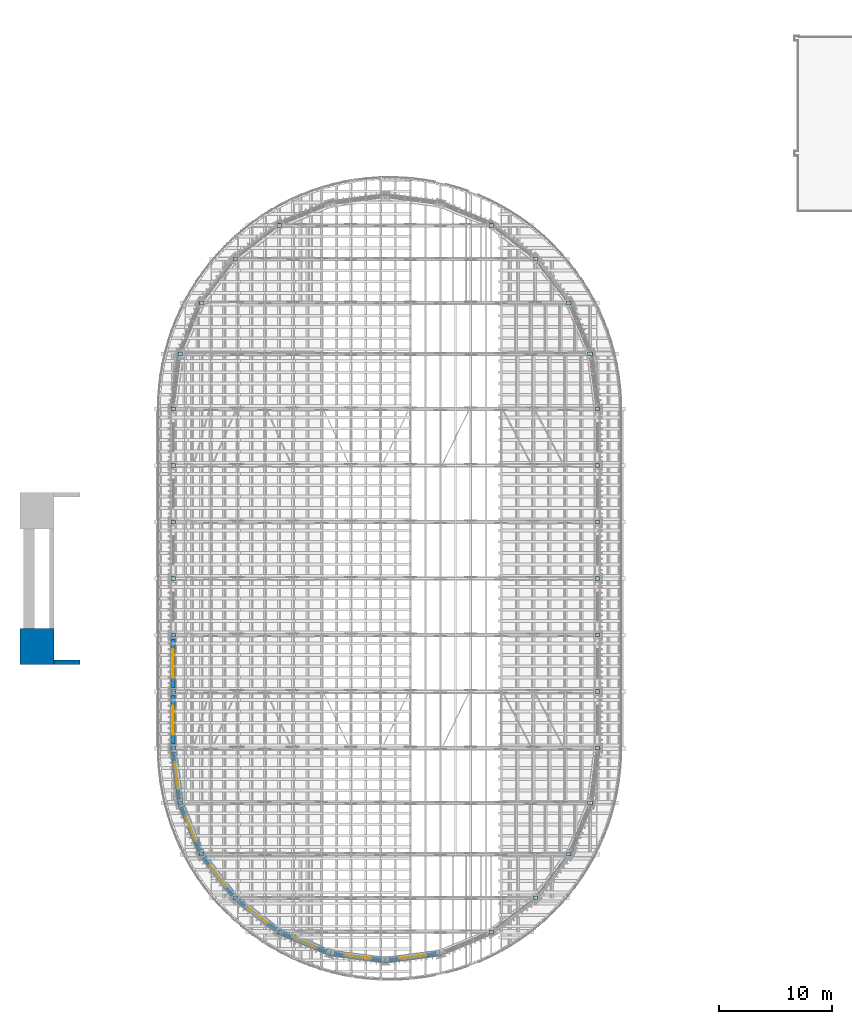
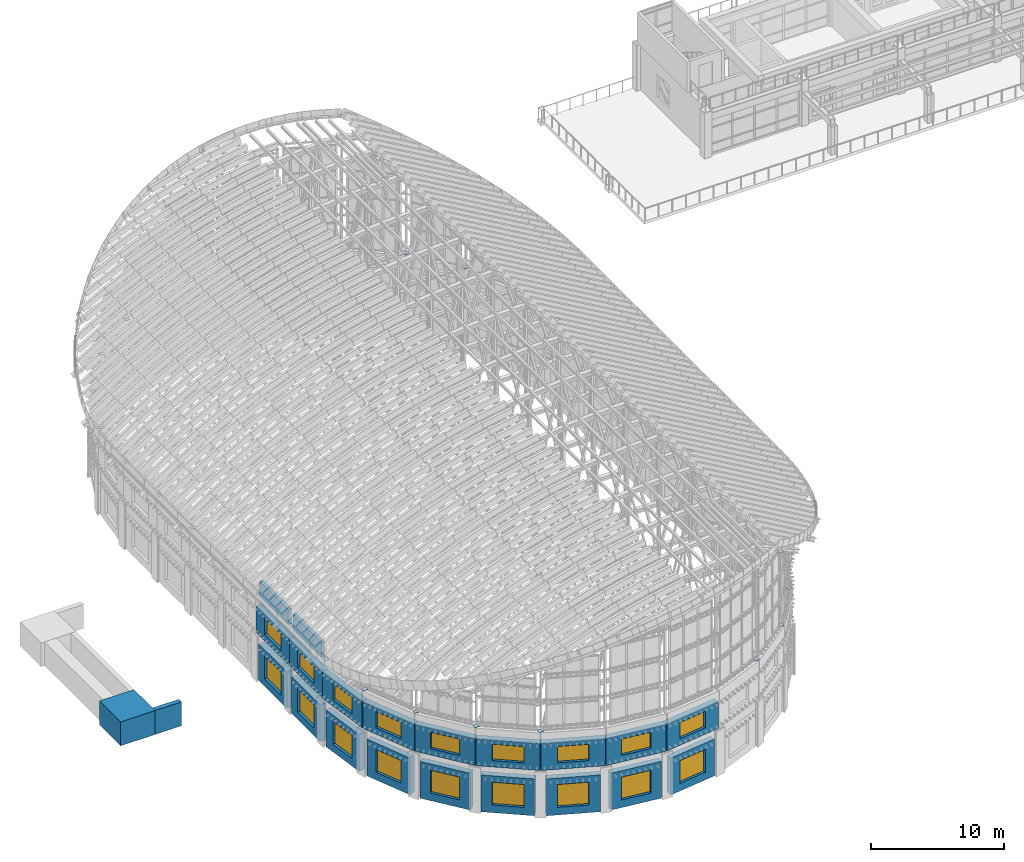
# One storey, part 54 of 105: 30 plates, 22 walls, 18 windows, 18 openings.
"""IFC4 building model written with IfcOpenShell, lengths in metres."""

import ifcopenshell
import ifcopenshell.guid

model = None  # the IFC model being written
_history = None  # IfcOwnerHistory: only IFC2X3 demands one
_inside = {}  # id of a spatial element -> (the spatial element, [elements in it])
_under = {}  # id of a project, library or spatial element -> (it, [spatial elements below it])
_declared = {}  # id of a project -> (the project, [libraries it declares])
_typed = {}  # id of a type object -> (the type object, [elements of that type])
_made_of = {}  # id of a material, layer set ... -> (it, [elements and type objects made of it])


def new_model(schema):
    """Start an empty IFC model of exactly this schema.

    Asked for "IFC4X3", IfcOpenShell would pick the latest addendum, in which some entities
    have other attributes; the version numbers below select the first issue.
    IFC2X3 requires an IfcOwnerHistory on every rooted entity: one is made here for all.
    """
    global model, _history
    if schema == "IFC4X3":
        model = ifcopenshell.file(schema_version=(4, 3, 0, 0))
    else:
        model = ifcopenshell.file(schema=schema)
    _inside.clear()
    _under.clear()
    _declared.clear()
    _typed.clear()
    _made_of.clear()
    _history = None
    if model.schema == "IFC2X3":
        org = make("IfcOrganization", Name="unknown")
        user = make(
            "IfcPersonAndOrganization",
            ThePerson=make("IfcPerson", FamilyName="unknown"),
            TheOrganization=org,
        )
        app = make(
            "IfcApplication",
            ApplicationDeveloper=org,
            Version="unknown",
            ApplicationFullName="unknown",
            ApplicationIdentifier="unknown",
        )
        _history = make(
            "IfcOwnerHistory",
            OwningUser=user,
            OwningApplication=app,
            ChangeAction="ADDED",
            CreationDate=0,
        )
    return model


def make(cls, **values):
    """One entity of the class cls with the attributes given. An attribute that is None is left unset."""
    return model.create_entity(
        cls, **{name: value for name, value in values.items() if value is not None}
    )


def rooted(cls, **values):
    """An entity with a GlobalId (a new one), such as an element, a storey or a relation."""
    return make(cls, GlobalId=ifcopenshell.guid.new(), OwnerHistory=_history, **values)


def si_unit(unit_type, name, prefix=None):
    """IfcSIUnit, for example si_unit("LENGTHUNIT", "METRE", prefix="MILLI")."""
    return make("IfcSIUnit", UnitType=unit_type, Prefix=prefix, Name=name)


def assignment(units):
    """IfcUnitAssignment: the units of a project."""
    return None if units is None else make("IfcUnitAssignment", Units=units)


def point(xyz):
    """IfcCartesianPoint."""
    return None if xyz is None else make("IfcCartesianPoint", Coordinates=xyz)


def direction(xyz):
    """IfcDirection."""
    return None if xyz is None else make("IfcDirection", DirectionRatios=xyz)


def frame(location, z_axis=None, x_axis=None):
    """IfcAxis2Placement3D, a coordinate frame: its origin and axes. An axis left out is left unset."""
    return make(
        "IfcAxis2Placement3D",
        Location=point(location),
        Axis=direction(z_axis),
        RefDirection=direction(x_axis),
    )


def frame_2d(location, x_axis=None):
    """IfcAxis2Placement2D, a coordinate frame in the plane: its origin and x axis."""
    return make(
        "IfcAxis2Placement2D", Location=point(location), RefDirection=direction(x_axis)
    )


def origin():
    """The frame at (0, 0, 0) with its axes left unset."""
    return frame((0.0, 0.0, 0.0))


def origin_2d():
    """The frame at (0, 0) in the plane with its x axis left unset."""
    return frame_2d((0.0, 0.0))


def place(relative_to, where):
    """IfcLocalPlacement: puts the frame where relative to a parent placement (None: the world)."""
    return make(
        "IfcLocalPlacement", PlacementRelTo=relative_to, RelativePlacement=where
    )


def context(
    kind, dimensions, precision=None, world=None, true_north=None, identifier=None
):
    """IfcGeometricRepresentationContext, for example the 3D "Model" context."""
    return make(
        "IfcGeometricRepresentationContext",
        ContextIdentifier=identifier,
        ContextType=kind,
        CoordinateSpaceDimension=dimensions,
        Precision=precision,
        WorldCoordinateSystem=world,
        TrueNorth=true_north,
    )


def subcontext(parent, identifier, kind, view, scale=None):
    """IfcGeometricRepresentationSubContext, for example "Body" below "Model"."""
    return make(
        "IfcGeometricRepresentationSubContext",
        ContextIdentifier=identifier,
        ContextType=kind,
        ParentContext=parent,
        TargetScale=scale,
        TargetView=view,
    )


def project(units=None, contexts=None):
    """IfcProject with its units and contexts."""
    return rooted(
        "IfcProject",
        Name="project",
        RepresentationContexts=contexts,
        UnitsInContext=assignment(units),
    )


def spatial(cls, under=None, at=None, **own):
    """A site, building, storey or space (cls), placed at a placement, below another one or the project."""
    s = rooted(cls, ObjectPlacement=at, **own)
    if under is not None:
        _under.setdefault(under.id(), (under, []))[1].append(s)
    return s


def profile(cls, at=None, kind="AREA", **sizes):
    """A parametric profile (cls). Its sizes go by their IFC names, for example OverallWidth=200.0."""
    return make(cls, ProfileType=kind, Position=at, **sizes)


def rectangle(**sizes):
    """IfcRectangleProfileDef."""
    return profile("IfcRectangleProfileDef", **sizes)


def extrude(swept, where, along, depth):
    """IfcExtrudedAreaSolid: the profile swept, set in the frame where, extruded along a direction by depth."""
    return make(
        "IfcExtrudedAreaSolid",
        SweptArea=swept,
        Position=where,
        ExtrudedDirection=direction(along),
        Depth=depth,
    )


def shape(context_of_items, identifier, shape_type, items):
    """IfcShapeRepresentation: the items that make up one representation, for example the "Body"."""
    return make(
        "IfcShapeRepresentation",
        ContextOfItems=context_of_items,
        RepresentationIdentifier=identifier,
        RepresentationType=shape_type,
        Items=items,
    )


def material(Name=None, Category=None):
    """IfcMaterial."""
    return make("IfcMaterial", Name=Name, Category=Category)


def layer(
    of_material, thickness, ventilated=None, Name=None, Category=None, Priority=None
):
    """IfcMaterialLayer: one layer of a wall or slab, of a material (None: an air gap)."""
    return make(
        "IfcMaterialLayer",
        Material=of_material,
        LayerThickness=thickness,
        IsVentilated=ventilated,
        Name=Name,
        Category=Category,
        Priority=Priority,
    )


def layer_set(layers, Name=None):
    """IfcMaterialLayerSet."""
    return make("IfcMaterialLayerSet", MaterialLayers=layers, LayerSetName=Name)


def made_of(thing, what):
    """Note that an element or type object is made of a material, layer set ...; save() writes the relation."""
    if what is not None:
        _made_of.setdefault(what.id(), (what, []))[1].append(thing)
    return thing


def type_object(cls, material=None, **own):
    """A type object (cls), such as IfcWallType, which elements share."""
    return made_of(rooted(cls, **own), material)


def element(
    cls,
    number,
    at=None,
    inside=None,
    cuts=None,
    type_object=None,
    material=None,
    context=None,
    identifier="Body",
    shape_type=None,
    held_by="IfcProductDefinitionShape",
    body=None,
    shapes=None,
    **own,
):
    """One element of the class cls, such as IfcWall. Its Tag is "e" and its number.

    at: its placement. inside: the storey or other place that contains it. cuts: it is an
    opening in that element (IfcRelVoidsElement). A single representation is given by context,
    identifier, shape_type and body (its items); several are given by shapes. held_by: the class
    of the entity that holds the representations. save() writes the other relations.
    """
    e = rooted(cls, Tag="e%d" % number, ObjectPlacement=at, **own)
    if body is not None:
        shapes = [shape(context, identifier, shape_type, body)]
    if shapes is not None:
        e.Representation = make(held_by, Representations=shapes)
    if inside is not None:
        _inside.setdefault(inside.id(), (inside, []))[1].append(e)
    if cuts is not None:
        rooted(
            "IfcRelVoidsElement", RelatingBuildingElement=cuts, RelatedOpeningElement=e
        )
    if type_object is not None:
        _typed.setdefault(type_object.id(), (type_object, []))[1].append(e)
    return made_of(e, material)


def fill(opening, filler):
    """IfcRelFillsElement: the door or window that sits in an opening."""
    return rooted(
        "IfcRelFillsElement",
        RelatingOpeningElement=opening,
        RelatedBuildingElement=filler,
    )


def aggregate(whole, parts):
    """IfcRelAggregates: a whole, such as a stair, and the parts it consists of."""
    return rooted("IfcRelAggregates", RelatingObject=whole, RelatedObjects=parts)


def save(model, path):
    """Write the relations noted so far, then the file.

    IfcRelAggregates (storeys below a building ...), IfcRelContainedInSpatialStructure (elements
    in a storey), IfcRelDefinesByType, IfcRelAssociatesMaterial and IfcRelDeclares: one each for
    every whole, place, type object, material and project.
    """
    for whole, parts in _under.values():
        aggregate(whole, parts)
    for where, things in _inside.values():
        rooted(
            "IfcRelContainedInSpatialStructure",
            RelatedElements=things,
            RelatingStructure=where,
        )
    for kind, things in _typed.values():
        rooted("IfcRelDefinesByType", RelatedObjects=things, RelatingType=kind)
    for what, things in _made_of.values():
        rooted("IfcRelAssociatesMaterial", RelatedObjects=things, RelatingMaterial=what)
    for by, libraries in _declared.values():
        rooted("IfcRelDeclares", RelatingContext=by, RelatedDefinitions=libraries)
    model.write(path)


model = new_model("IFC4")

# Units and contexts
model_context = context("Model", 3, precision=1e-05, world=origin(), true_north=direction((0.0, 1.0)))
body_context = subcontext(model_context, "Body", "Model", "MODEL_VIEW")
ifc_project = project(units=[si_unit("LENGTHUNIT", "METRE"), si_unit("AREAUNIT", "SQUARE_METRE"), si_unit("VOLUMEUNIT", "CUBIC_METRE"), si_unit("PLANEANGLEUNIT", "RADIAN"), si_unit("MASSUNIT", "GRAM", prefix="KILO")], contexts=[model_context])

# Site, building, storey
site_placement = place(None, origin())
site = spatial("IfcSite", under=ifc_project, at=site_placement, CompositionType="ELEMENT")
building_placement = place(site_placement, origin())
building = spatial("IfcBuilding", under=site, at=building_placement, Name="Wasatch Bagh Community Centre", CompositionType="ELEMENT")
storey_placement = place(building_placement, frame((0.0, 0.0, 16.800048828125)))
storey = spatial("IfcBuildingStorey", under=building, at=storey_placement, Name="L04", CompositionType="ELEMENT", Elevation=16.800048828125)

# Plates
ifc_material_1 = material(Name="ASTM A36 steel", Category="steel")
ifc_layer_1 = layer(ifc_material_1, 0.014892578125)
ifc_layer_set_1 = layer_set([ifc_layer_1], Name="ASTM A36 steel")
plate_type = type_object("IfcPlateType", Name="MH bearing plate", PredefinedType="SHEET", material=ifc_layer_set_1)
for number, where, z_axis, x_axis, name in (
    (1, (17.25, 35.0, 7.7001953125), (0.0, 0.0, 1.0), (1.0, 0.0, 0.0), "MH.plate.TA1.W"),
    (2, (54.75, 35.0, 7.7001953125), (0.0, 0.0, 1.0), (1.0, 0.0, 0.0), "MH.plate.TA1.E"),
    (3, (17.25, 40.0, 7.7001953125), (0.0, 0.0, 1.0), (1.0, 0.0, 0.0), "MH.plate.TA2.W"),
    (4, (54.75, 40.0, 7.7001953125), (0.0, 0.0, 1.0), (1.0, 0.0, 0.0), "MH.plate.TA2.E"),
    (5, (17.25, 45.0, 7.7001953125), (0.0, 0.0, 1.0), (1.0, 0.0, 0.0), "MH.plate.TA3.W"),
    (6, (54.75, 45.0, 7.7001953125), (0.0, 0.0, 1.0), (1.0, 0.0, 0.0), "MH.plate.TA3.E"),
    (7, (17.25, 50.0, 7.7001953125), (0.0, 0.0, 1.0), (1.0, 0.0, 0.0), "MH.plate.TA4.W"),
    (8, (54.75, 50.0, 7.7001953125), (0.0, 0.0, 1.0), (1.0, 0.0, 0.0), "MH.plate.TA4.E"),
    (9, (17.25, 55.0, 7.7001953125), (0.0, 0.0, 1.0), (1.0, 0.0, 0.0), "MH.plate.TA5.W"),
    (10, (54.75, 55.0, 7.7001953125), (0.0, 0.0, 1.0), (1.0, 0.0, 0.0), "MH.plate.TA5.E"),
    (11, (17.25, 60.0, 7.7001953125), (0.0, 0.0, 1.0), (1.0, 0.0, 0.0), "MH.plate.TA6.W"),
    (12, (54.75, 60.0, 7.7001953125), (0.0, 0.0, 1.0), (1.0, 0.0, 0.0), "MH.plate.TA6.E"),
    (13, (17.25, 65.0, 7.7001953125), (0.0, 0.0, 1.0), (1.0, 0.0, 0.0), "MH.plate.TA7.W"),
    (14, (54.75, 65.0, 7.7001953125), (0.0, 0.0, 1.0), (1.0, 0.0, 0.0), "MH.plate.TA7.E"),
    (15, (17.888916015625, 30.147216796875, 7.7001953125), (0.0, 0.0, 1.0), (1.0, 0.0, 0.0), "MH.plate.TS1.W"),
    (16, (54.111083984375, 30.147216796875, 7.7001953125), (0.0, 0.0, 1.0), (1.0, 0.0, 0.0), "MH.plate.TS1.E"),
    (17, (17.888916015625, 69.852783203125, 7.7001953125), (0.0, 0.0, 1.0), (1.0, 0.0, 0.0), "MH.plate.TN1.W"),
    (18, (54.111083984375, 69.852783203125, 7.7001953125), (0.0, 0.0, 1.0), (1.0, 0.0, 0.0), "MH.plate.TN1.E"),
    (19, (19.761962890625, 25.625, 7.7001953125), (0.0, 0.0, 1.0), (1.0, 0.0, 0.0), "MH.plate.TS2.W"),
    (20, (52.238037109375, 25.625, 7.7001953125), (0.0, 0.0, 1.0), (1.0, 0.0, 0.0), "MH.plate.TS2.E"),
    (21, (19.761962890625, 74.375, 7.7001953125), (0.0, 0.0, 1.0), (1.0, 0.0, 0.0), "MH.plate.TN2.W"),
    (22, (52.238037109375, 74.375, 7.7001953125), (0.0, 0.0, 1.0), (1.0, 0.0, 0.0), "MH.plate.TN2.E"),
    (23, (22.74169921875, 21.74169921875, 7.7001953125), (0.0, 0.0, 1.0), (1.0, 0.0, 0.0), "MH.plate.TS3.W"),
    (24, (49.25830078125, 21.74169921875, 7.7001953125), (0.0, 0.0, 1.0), (1.0, 0.0, 0.0), "MH.plate.TS3.E"),
    (25, (22.74169921875, 78.25830078125, 7.7001953125), (0.0, 0.0, 1.0), (1.0, 0.0, 0.0), "MH.plate.TN3.W"),
    (26, (49.25830078125, 78.25830078125, 7.7001953125), (0.0, 0.0, 1.0), (1.0, 0.0, 0.0), "MH.plate.TN3.E"),
    (27, (26.625, 18.761962890625, 7.7001953125), (0.0, 0.0, 1.0), (1.0, 0.0, 0.0), "MH.plate.TS4.W"),
    (28, (45.375, 18.761962890625, 7.7001953125), (0.0, 0.0, 1.0), (1.0, 0.0, 0.0), "MH.plate.TS4.E"),
    (29, (26.625, 81.238037109375, 7.7001953125), (0.0, 0.0, 1.0), (1.0, 0.0, 0.0), "MH.plate.TN4.W"),
    (30, (45.375, 81.238037109375, 7.7001953125), (0.0, 0.0, 1.0), (1.0, 0.0, 0.0), "MH.plate.TN4.E"),
):
    element("IfcPlate", number, at=place(storey_placement, frame(where, z_axis=z_axis, x_axis=x_axis)), inside=storey, type_object=plate_type, Name=name, PredefinedType="SHEET", context=body_context, shape_type="SweptSolid", body=[
        extrude(rectangle(XDim=0.39990234375, YDim=0.35009765625, at=origin_2d()), origin(), (0.0, 0.0, 1.0), 0.014892578125),
    ])

# Walls
ifc_material_2 = material(Name="Concrete C40", Category="concrete")
ifc_layer_2 = layer(ifc_material_2, 0.39990234375)
ifc_layer_set_2 = layer_set([ifc_layer_2], Name="Concrete C40")
wall_type_1 = type_object("IfcWallType", Name="CP-W5", PredefinedType="STANDARD", material=ifc_layer_set_2)
wall_1_placement = place(storey_placement, frame((6.699951171875, 42.60009765625, 0.0), z_axis=(0.0, 0.0, 1.0), x_axis=(1.0, 0.0, 0.0)))
element("IfcWall", 31, at=wall_1_placement, inside=storey, type_object=wall_type_1, Name="CP-W5 iwan cheek wall 1.1", PredefinedType="STANDARD", context=body_context, shape_type="SweptSolid", body=[
    extrude(rectangle(XDim=2.300048828125, YDim=0.39990234375, at=frame_2d((1.14990234375, 0.0))), origin(), (0.0, 0.0, 1.0), 2.199951171875),
])
ifc_layer_3 = layer(ifc_material_2, 3.0)
ifc_layer_set_3 = layer_set([ifc_layer_3], Name="Concrete C40")
wall_type_2 = type_object("IfcWallType", Name="CP-W7", PredefinedType="STANDARD", material=ifc_layer_set_3)
wall_2_placement = place(storey_placement, frame((5.199951171875, 42.39990234375, 0.0), z_axis=(0.0, 0.0, 1.0), x_axis=(0.0, 1.0, 0.0)))
element("IfcWall", 32, at=wall_2_placement, inside=storey, type_object=wall_type_2, Name="CP-W7 iwan masonry mass 1", PredefinedType="STANDARD", context=body_context, shape_type="SweptSolid", body=[
    extrude(rectangle(XDim=3.2001953125, YDim=3.0, at=frame_2d((1.60009765625, 0.0))), origin(), (0.0, 0.0, 1.0), 2.199951171875),
])
ifc_layer_4 = layer(ifc_material_2, 0.300048828125)
ifc_layer_set_4 = layer_set([ifc_layer_4], Name="Concrete C40")
wall_type_3 = type_object("IfcWallType", Name="MH upstand wall 300", PredefinedType="SHEAR", material=ifc_layer_set_4)
for number, where, z_axis, x_axis, name in (
    (33, (17.25, 44.6494140625, 7.699951171875), (0.0, 0.0, 1.0), (0.0, -1.0, 0.0), "Capsule upstand wall 35"),
    (34, (17.25, 39.6494140625, 7.699951171875), (0.0, 0.0, 1.0), (0.0, -1.0, 0.0), "Capsule upstand wall 36"),
):
    element("IfcWall", number, at=place(storey_placement, frame(where, z_axis=z_axis, x_axis=x_axis)), inside=storey, type_object=wall_type_3, Name=name, PredefinedType="SHEAR", context=body_context, shape_type="SweptSolid", body=[
        extrude(rectangle(XDim=4.298828125, YDim=0.300048828125, at=frame_2d((2.1494140625, 0.0))), origin(), (0.0, 0.0, 1.0), 1.4130859375),
    ])

# Wall, opening, window
ifc_layer_5 = layer(ifc_material_2, 0.5)
ifc_layer_set_5 = layer_set([ifc_layer_5], Name="Concrete C40")
wall_type_4 = type_object("IfcWallType", Name="MH wall RC WALL 500", PredefinedType="SHEAR", material=ifc_layer_set_5)
wall_3_placement = place(storey_placement, frame((17.300537109375, 34.616943359375, 0.0), z_axis=(0.0, 0.0, 1.0), x_axis=(0.130483623501, -0.991450464722, 0.0)))
wall_3 = element("IfcWall", 35, at=wall_3_placement, inside=storey, type_object=wall_type_4, Name="Capsule wall 1", PredefinedType="SHEAR", context=body_context, shape_type="SweptSolid", body=[
    extrude(rectangle(XDim=4.121826171875, YDim=0.5, at=frame_2d((2.06103515625, 0.0))), origin(), (0.0, 0.0, 1.0), 3.39990234375),
])
opening_1_placement = place(wall_3_placement, frame((0.86083984375, 0.0, 0.699951171875)))
opening_1 = element("IfcOpeningElement", 36, at=opening_1_placement, cuts=wall_3, Name="Opening 0M-W01", PredefinedType="OPENING", context=body_context, shape_type="SweptSolid", body=[
    extrude(rectangle(XDim=2.39990234375, YDim=2.10009765625, at=frame_2d((1.199951171875, 1.050048828125))), frame((0.0, 0.260009765625, 0.0), z_axis=(0.0, -1.0, 0.0), x_axis=(1.0, 0.0, 0.0)), (0.0, 0.0, 1.0), 0.52001953125),
])
ifc_material_3 = material(Name="Aluminium frame with low-iron insulated glass", Category="aluminium")
window_type_1 = type_object("IfcWindowType", Name="MH clerestory window W5", PartitioningType="SINGLE_PANEL", PredefinedType="WINDOW", material=ifc_material_3)
window_1_placement = place(opening_1_placement, origin())
window_1 = element("IfcWindow", 37, at=window_1_placement, inside=storey, type_object=window_type_1, Name="Window 0M-W01", OverallHeight=2.10009765625, OverallWidth=2.39990234375, PartitioningType="SINGLE_PANEL", PredefinedType="WINDOW", context=body_context, shape_type="SweptSolid", body=[
    extrude(rectangle(XDim=2.39990234375, YDim=2.10009765625, at=frame_2d((1.199951171875, 1.050048828125))), frame((0.0, 0.030029296875, 0.0), z_axis=(0.0, -1.0, 0.0), x_axis=(1.0, 0.0, 0.0)), (0.0, 0.0, 1.0), 0.06005859375),
])
fill(opening_1, window_1)

wall_4_placement = place(storey_placement, frame((18.036865234375, 29.7900390625, 0.0), z_axis=(0.0, 0.0, 1.0), x_axis=(0.382688328955, -0.923877504262, 0.0)))
wall_4 = element("IfcWall", 38, at=wall_4_placement, inside=storey, type_object=wall_type_4, Name="Capsule wall 2", PredefinedType="SHEAR", context=body_context, shape_type="SweptSolid", body=[
    extrude(rectangle(XDim=4.121826171875, YDim=0.5, at=frame_2d((2.06103515625, 0.0))), origin(), (0.0, 0.0, 1.0), 3.39990234375),
])
opening_2_placement = place(wall_4_placement, frame((0.86083984375, 0.0, 0.699951171875)))
opening_2 = element("IfcOpeningElement", 39, at=opening_2_placement, cuts=wall_4, Name="Opening 0M-W02", PredefinedType="OPENING", context=body_context, shape_type="SweptSolid", body=[
    extrude(rectangle(XDim=2.39990234375, YDim=2.10009765625, at=frame_2d((1.199951171875, 1.050048828125))), frame((0.0, 0.260009765625, 0.0), z_axis=(0.0, -1.0, 0.0), x_axis=(1.0, 0.0, 0.0)), (0.0, 0.0, 1.0), 0.52001953125),
])
window_2_placement = place(opening_2_placement, origin())
window_2 = element("IfcWindow", 40, at=window_2_placement, inside=storey, type_object=window_type_1, Name="Window 0M-W02", OverallHeight=2.10009765625, OverallWidth=2.39990234375, PartitioningType="SINGLE_PANEL", PredefinedType="WINDOW", context=body_context, shape_type="SweptSolid", body=[
    extrude(rectangle(XDim=2.39990234375, YDim=2.10009765625, at=frame_2d((1.199951171875, 1.050048828125))), frame((0.0, 0.030029296875, 0.0), z_axis=(0.0, -1.0, 0.0), x_axis=(1.0, 0.0, 0.0)), (0.0, 0.0, 1.0), 0.06005859375),
])
fill(opening_2, window_2)

wall_5_placement = place(storey_placement, frame((19.997314453125, 25.318359375, 0.0), z_axis=(0.0, 0.0, 1.0), x_axis=(0.60877717335, -0.793341258985, 0.0)))
wall_5 = element("IfcWall", 41, at=wall_5_placement, inside=storey, type_object=wall_type_4, Name="Capsule wall 3", PredefinedType="SHEAR", context=body_context, shape_type="SweptSolid", body=[
    extrude(rectangle(XDim=4.121826171875, YDim=0.5, at=frame_2d((2.06103515625, 0.0))), origin(), (0.0, 0.0, 1.0), 3.39990234375),
])
opening_3_placement = place(wall_5_placement, frame((0.86083984375, 0.0, 0.699951171875)))
opening_3 = element("IfcOpeningElement", 42, at=opening_3_placement, cuts=wall_5, Name="Opening 0M-W03", PredefinedType="OPENING", context=body_context, shape_type="SweptSolid", body=[
    extrude(rectangle(XDim=2.39990234375, YDim=2.10009765625, at=frame_2d((1.199951171875, 1.050048828125))), frame((0.0, 0.260009765625, 0.0), z_axis=(0.0, -1.0, 0.0), x_axis=(1.0, 0.0, 0.0)), (0.0, 0.0, 1.0), 0.52001953125),
])
window_3_placement = place(opening_3_placement, origin())
window_3 = element("IfcWindow", 43, at=window_3_placement, inside=storey, type_object=window_type_1, Name="Window 0M-W03", OverallHeight=2.10009765625, OverallWidth=2.39990234375, PartitioningType="SINGLE_PANEL", PredefinedType="WINDOW", context=body_context, shape_type="SweptSolid", body=[
    extrude(rectangle(XDim=2.39990234375, YDim=2.10009765625, at=frame_2d((1.199951171875, 1.050048828125))), frame((0.0, 0.030029296875, 0.0), z_axis=(0.0, -1.0, 0.0), x_axis=(1.0, 0.0, 0.0)), (0.0, 0.0, 1.0), 0.06005859375),
])
fill(opening_3, window_3)

wall_6_placement = place(storey_placement, frame((23.04833984375, 21.506591796875, 0.0), z_axis=(0.0, 0.0, 1.0), x_axis=(0.793341258985, -0.60877717335, 0.0)))
wall_6 = element("IfcWall", 44, at=wall_6_placement, inside=storey, type_object=wall_type_4, Name="Capsule wall 4", PredefinedType="SHEAR", context=body_context, shape_type="SweptSolid", body=[
    extrude(rectangle(XDim=4.121826171875, YDim=0.5, at=frame_2d((2.06103515625, 0.0))), origin(), (0.0, 0.0, 1.0), 3.39990234375),
])
opening_4_placement = place(wall_6_placement, frame((0.86083984375, 0.0, 0.699951171875)))
opening_4 = element("IfcOpeningElement", 45, at=opening_4_placement, cuts=wall_6, Name="Opening 0M-W04", PredefinedType="OPENING", context=body_context, shape_type="SweptSolid", body=[
    extrude(rectangle(XDim=2.39990234375, YDim=2.10009765625, at=frame_2d((1.199951171875, 1.050048828125))), frame((0.0, 0.260009765625, 0.0), z_axis=(0.0, -1.0, 0.0), x_axis=(1.0, 0.0, 0.0)), (0.0, 0.0, 1.0), 0.52001953125),
])
window_4_placement = place(opening_4_placement, origin())
window_4 = element("IfcWindow", 46, at=window_4_placement, inside=storey, type_object=window_type_1, Name="Window 0M-W04", OverallHeight=2.10009765625, OverallWidth=2.39990234375, PartitioningType="SINGLE_PANEL", PredefinedType="WINDOW", context=body_context, shape_type="SweptSolid", body=[
    extrude(rectangle(XDim=2.39990234375, YDim=2.10009765625, at=frame_2d((1.199951171875, 1.050048828125))), frame((0.0, 0.030029296875, 0.0), z_axis=(0.0, -1.0, 0.0), x_axis=(1.0, 0.0, 0.0)), (0.0, 0.0, 1.0), 0.06005859375),
])
fill(opening_4, window_4)

wall_7_placement = place(storey_placement, frame((26.98193359375, 18.6142578125, 0.0), z_axis=(0.0, 0.0, 1.0), x_axis=(0.923877504262, -0.382688328955, 0.0)))
wall_7 = element("IfcWall", 47, at=wall_7_placement, inside=storey, type_object=wall_type_4, Name="Capsule wall 5", PredefinedType="SHEAR", context=body_context, shape_type="SweptSolid", body=[
    extrude(rectangle(XDim=4.121826171875, YDim=0.5, at=frame_2d((2.06103515625, 0.0))), origin(), (0.0, 0.0, 1.0), 3.39990234375),
])
opening_5_placement = place(wall_7_placement, frame((0.86083984375, 0.0, 0.699951171875)))
opening_5 = element("IfcOpeningElement", 48, at=opening_5_placement, cuts=wall_7, Name="Opening 0M-W05", PredefinedType="OPENING", context=body_context, shape_type="SweptSolid", body=[
    extrude(rectangle(XDim=2.39990234375, YDim=2.10009765625, at=frame_2d((1.199951171875, 1.050048828125))), frame((0.0, 0.260009765625, 0.0), z_axis=(0.0, -1.0, 0.0), x_axis=(1.0, 0.0, 0.0)), (0.0, 0.0, 1.0), 0.52001953125),
])
window_5_placement = place(opening_5_placement, origin())
window_5 = element("IfcWindow", 49, at=window_5_placement, inside=storey, type_object=window_type_1, Name="Window 0M-W05", OverallHeight=2.10009765625, OverallWidth=2.39990234375, PartitioningType="SINGLE_PANEL", PredefinedType="WINDOW", context=body_context, shape_type="SweptSolid", body=[
    extrude(rectangle(XDim=2.39990234375, YDim=2.10009765625, at=frame_2d((1.199951171875, 1.050048828125))), frame((0.0, 0.030029296875, 0.0), z_axis=(0.0, -1.0, 0.0), x_axis=(1.0, 0.0, 0.0)), (0.0, 0.0, 1.0), 0.06005859375),
])
fill(opening_5, window_5)

wall_8_placement = place(storey_placement, frame((31.5302734375, 16.83837890625, 0.0), z_axis=(0.0, 0.0, 1.0), x_axis=(0.991450464722, -0.130483623501, 0.0)))
wall_8 = element("IfcWall", 50, at=wall_8_placement, inside=storey, type_object=wall_type_4, Name="Capsule wall 6", PredefinedType="SHEAR", context=body_context, shape_type="SweptSolid", body=[
    extrude(rectangle(XDim=4.121826171875, YDim=0.5, at=frame_2d((2.06103515625, 0.0))), origin(), (0.0, 0.0, 1.0), 3.39990234375),
])
opening_6_placement = place(wall_8_placement, frame((0.86083984375, 0.0, 0.699951171875)))
opening_6 = element("IfcOpeningElement", 51, at=opening_6_placement, cuts=wall_8, Name="Opening 0M-W06", PredefinedType="OPENING", context=body_context, shape_type="SweptSolid", body=[
    extrude(rectangle(XDim=2.39990234375, YDim=2.10009765625, at=frame_2d((1.199951171875, 1.050048828125))), frame((0.0, 0.260009765625, 0.0), z_axis=(0.0, -1.0, 0.0), x_axis=(1.0, 0.0, 0.0)), (0.0, 0.0, 1.0), 0.52001953125),
])
window_6_placement = place(opening_6_placement, origin())
window_6 = element("IfcWindow", 52, at=window_6_placement, inside=storey, type_object=window_type_1, Name="Window 0M-W06", OverallHeight=2.10009765625, OverallWidth=2.39990234375, PartitioningType="SINGLE_PANEL", PredefinedType="WINDOW", context=body_context, shape_type="SweptSolid", body=[
    extrude(rectangle(XDim=2.39990234375, YDim=2.10009765625, at=frame_2d((1.199951171875, 1.050048828125))), frame((0.0, 0.030029296875, 0.0), z_axis=(0.0, -1.0, 0.0), x_axis=(1.0, 0.0, 0.0)), (0.0, 0.0, 1.0), 0.06005859375),
])
fill(opening_6, window_6)

wall_9_placement = place(storey_placement, frame((36.383056640625, 16.300537109375, 0.0), z_axis=(0.0, 0.0, 1.0), x_axis=(0.991450464722, 0.130483623501, 0.0)))
wall_9 = element("IfcWall", 53, at=wall_9_placement, inside=storey, type_object=wall_type_4, Name="Capsule wall 7", PredefinedType="SHEAR", context=body_context, shape_type="SweptSolid", body=[
    extrude(rectangle(XDim=4.121826171875, YDim=0.5, at=frame_2d((2.06103515625, 0.0))), origin(), (0.0, 0.0, 1.0), 3.39990234375),
])
opening_7_placement = place(wall_9_placement, frame((0.86083984375, 0.0, 0.699951171875)))
opening_7 = element("IfcOpeningElement", 54, at=opening_7_placement, cuts=wall_9, Name="Opening 0M-W07", PredefinedType="OPENING", context=body_context, shape_type="SweptSolid", body=[
    extrude(rectangle(XDim=2.39990234375, YDim=2.10009765625, at=frame_2d((1.199951171875, 1.050048828125))), frame((0.0, 0.260009765625, 0.0), z_axis=(0.0, -1.0, 0.0), x_axis=(1.0, 0.0, 0.0)), (0.0, 0.0, 1.0), 0.52001953125),
])
window_7_placement = place(opening_7_placement, origin())
window_7 = element("IfcWindow", 55, at=window_7_placement, inside=storey, type_object=window_type_1, Name="Window 0M-W07", OverallHeight=2.10009765625, OverallWidth=2.39990234375, PartitioningType="SINGLE_PANEL", PredefinedType="WINDOW", context=body_context, shape_type="SweptSolid", body=[
    extrude(rectangle(XDim=2.39990234375, YDim=2.10009765625, at=frame_2d((1.199951171875, 1.050048828125))), frame((0.0, 0.030029296875, 0.0), z_axis=(0.0, -1.0, 0.0), x_axis=(1.0, 0.0, 0.0)), (0.0, 0.0, 1.0), 0.06005859375),
])
fill(opening_7, window_7)

wall_10_placement = place(storey_placement, frame((17.25, 44.6494140625, 0.0), z_axis=(0.0, 0.0, 1.0), x_axis=(0.0, -1.0, 0.0)))
wall_10 = element("IfcWall", 56, at=wall_10_placement, inside=storey, type_object=wall_type_4, Name="Capsule wall 35", PredefinedType="SHEAR", context=body_context, shape_type="SweptSolid", body=[
    extrude(rectangle(XDim=4.298828125, YDim=0.5, at=frame_2d((2.1494140625, 0.0))), origin(), (0.0, 0.0, 1.0), 3.39990234375),
])
opening_8_placement = place(wall_10_placement, frame((0.8994140625, 0.0, 0.699951171875)))
opening_8 = element("IfcOpeningElement", 57, at=opening_8_placement, cuts=wall_10, Name="Opening 0M-W35", PredefinedType="OPENING", context=body_context, shape_type="SweptSolid", body=[
    extrude(rectangle(XDim=2.5, YDim=2.10009765625, at=frame_2d((1.25, 1.050048828125))), frame((0.0, 0.260009765625, 0.0), z_axis=(0.0, -1.0, 0.0), x_axis=(1.0, 0.0, 0.0)), (0.0, 0.0, 1.0), 0.52001953125),
])
window_type_2 = type_object("IfcWindowType", Name="MH clerestory window W6", PartitioningType="SINGLE_PANEL", PredefinedType="WINDOW", material=ifc_material_3)
window_8_placement = place(opening_8_placement, origin())
window_8 = element("IfcWindow", 58, at=window_8_placement, inside=storey, type_object=window_type_2, Name="Window 0M-W35", OverallHeight=2.10009765625, OverallWidth=2.5, PartitioningType="SINGLE_PANEL", PredefinedType="WINDOW", context=body_context, shape_type="SweptSolid", body=[
    extrude(rectangle(XDim=2.5, YDim=2.10009765625, at=frame_2d((1.25, 1.050048828125))), frame((0.0, 0.030029296875, 0.0), z_axis=(0.0, -1.0, 0.0), x_axis=(1.0, 0.0, 0.0)), (0.0, 0.0, 1.0), 0.06005859375),
])
fill(opening_8, window_8)

wall_11_placement = place(storey_placement, frame((17.25, 39.6494140625, 0.0), z_axis=(0.0, 0.0, 1.0), x_axis=(0.0, -1.0, 0.0)))
wall_11 = element("IfcWall", 59, at=wall_11_placement, inside=storey, type_object=wall_type_4, Name="Capsule wall 36", PredefinedType="SHEAR", context=body_context, shape_type="SweptSolid", body=[
    extrude(rectangle(XDim=4.298828125, YDim=0.5, at=frame_2d((2.1494140625, 0.0))), origin(), (0.0, 0.0, 1.0), 3.39990234375),
])
opening_9_placement = place(wall_11_placement, frame((0.8994140625, 0.0, 0.699951171875)))
opening_9 = element("IfcOpeningElement", 60, at=opening_9_placement, cuts=wall_11, Name="Opening 0M-W36", PredefinedType="OPENING", context=body_context, shape_type="SweptSolid", body=[
    extrude(rectangle(XDim=2.5, YDim=2.10009765625, at=frame_2d((1.25, 1.050048828125))), frame((0.0, 0.260009765625, 0.0), z_axis=(0.0, -1.0, 0.0), x_axis=(1.0, 0.0, 0.0)), (0.0, 0.0, 1.0), 0.52001953125),
])
window_9_placement = place(opening_9_placement, origin())
window_9 = element("IfcWindow", 61, at=window_9_placement, inside=storey, type_object=window_type_2, Name="Window 0M-W36", OverallHeight=2.10009765625, OverallWidth=2.5, PartitioningType="SINGLE_PANEL", PredefinedType="WINDOW", context=body_context, shape_type="SweptSolid", body=[
    extrude(rectangle(XDim=2.5, YDim=2.10009765625, at=frame_2d((1.25, 1.050048828125))), frame((0.0, 0.030029296875, 0.0), z_axis=(0.0, -1.0, 0.0), x_axis=(1.0, 0.0, 0.0)), (0.0, 0.0, 1.0), 0.06005859375),
])
fill(opening_9, window_9)

wall_12_placement = place(storey_placement, frame((17.25, 35.0, 4.199951171875), z_axis=(0.0, 0.0, 1.0), x_axis=(0.130533218363, -0.991443936339, 0.0)))
wall_12 = element("IfcWall", 62, at=wall_12_placement, inside=storey, type_object=wall_type_4, Name="Capsule wall 1 upper", PredefinedType="SHEAR", context=body_context, shape_type="SweptSolid", body=[
    extrude(rectangle(XDim=4.894775390625, YDim=0.5, at=frame_2d((2.447265625, 0.0))), origin(), (0.0, 0.0, 1.0), 2.5),
])
opening_10_placement = place(wall_12_placement, frame((1.247314453125, 0.0, 0.60009765625)))
opening_10 = element("IfcOpeningElement", 63, at=opening_10_placement, cuts=wall_12, Name="Opening 0M-W01", PredefinedType="OPENING", context=body_context, shape_type="SweptSolid", body=[
    extrude(rectangle(XDim=2.39990234375, YDim=1.5, at=frame_2d((1.199951171875, 0.75))), frame((0.0, 0.260009765625, 0.0), z_axis=(0.0, -1.0, 0.0), x_axis=(1.0, 0.0, 0.0)), (0.0, 0.0, 1.0), 0.52001953125),
])
window_type_3 = type_object("IfcWindowType", Name="MH clerestory window W1", PartitioningType="SINGLE_PANEL", PredefinedType="WINDOW", material=ifc_material_3)
window_10_placement = place(opening_10_placement, origin())
window_10 = element("IfcWindow", 64, at=window_10_placement, inside=storey, type_object=window_type_3, Name="Window 0M-W01", OverallHeight=1.5, OverallWidth=2.39990234375, PartitioningType="SINGLE_PANEL", PredefinedType="WINDOW", context=body_context, shape_type="SweptSolid", body=[
    extrude(rectangle(XDim=2.39990234375, YDim=1.5, at=frame_2d((1.199951171875, 0.75))), frame((0.0, 0.030029296875, 0.0), z_axis=(0.0, -1.0, 0.0), x_axis=(1.0, 0.0, 0.0)), (0.0, 0.0, 1.0), 0.06005859375),
])
fill(opening_10, window_10)

wall_13_placement = place(storey_placement, frame((17.888916015625, 30.147216796875, 4.199951171875), z_axis=(0.0, 0.0, 1.0), x_axis=(0.382663090012, -0.923887958328, 0.0)))
wall_13 = element("IfcWall", 65, at=wall_13_placement, inside=storey, type_object=wall_type_4, Name="Capsule wall 2 upper", PredefinedType="SHEAR", context=body_context, shape_type="SweptSolid", body=[
    extrude(rectangle(XDim=4.894775390625, YDim=0.5, at=frame_2d((2.447265625, 0.0))), origin(), (0.0, 0.0, 1.0), 2.5),
])
opening_11_placement = place(wall_13_placement, frame((1.247314453125, 0.0, 0.60009765625)))
opening_11 = element("IfcOpeningElement", 66, at=opening_11_placement, cuts=wall_13, Name="Opening 0M-W02", PredefinedType="OPENING", context=body_context, shape_type="SweptSolid", body=[
    extrude(rectangle(XDim=2.39990234375, YDim=1.5, at=frame_2d((1.199951171875, 0.75))), frame((0.0, 0.260009765625, 0.0), z_axis=(0.0, -1.0, 0.0), x_axis=(1.0, 0.0, 0.0)), (0.0, 0.0, 1.0), 0.52001953125),
])
window_11_placement = place(opening_11_placement, origin())
window_11 = element("IfcWindow", 67, at=window_11_placement, inside=storey, type_object=window_type_3, Name="Window 0M-W02", OverallHeight=1.5, OverallWidth=2.39990234375, PartitioningType="SINGLE_PANEL", PredefinedType="WINDOW", context=body_context, shape_type="SweptSolid", body=[
    extrude(rectangle(XDim=2.39990234375, YDim=1.5, at=frame_2d((1.199951171875, 0.75))), frame((0.0, 0.030029296875, 0.0), z_axis=(0.0, -1.0, 0.0), x_axis=(1.0, 0.0, 0.0)), (0.0, 0.0, 1.0), 0.06005859375),
])
fill(opening_11, window_11)

wall_14_placement = place(storey_placement, frame((19.761962890625, 25.625, 4.199951171875), z_axis=(0.0, 0.0, 1.0), x_axis=(0.608758193246, -0.793355823169, 0.0)))
wall_14 = element("IfcWall", 68, at=wall_14_placement, inside=storey, type_object=wall_type_4, Name="Capsule wall 3 upper", PredefinedType="SHEAR", context=body_context, shape_type="SweptSolid", body=[
    extrude(rectangle(XDim=4.894775390625, YDim=0.5, at=frame_2d((2.447265625, 0.0))), origin(), (0.0, 0.0, 1.0), 2.5),
])
opening_12_placement = place(wall_14_placement, frame((1.247314453125, 0.0, 0.60009765625)))
opening_12 = element("IfcOpeningElement", 69, at=opening_12_placement, cuts=wall_14, Name="Opening 0M-W03", PredefinedType="OPENING", context=body_context, shape_type="SweptSolid", body=[
    extrude(rectangle(XDim=2.39990234375, YDim=1.5, at=frame_2d((1.199951171875, 0.75))), frame((0.0, 0.260009765625, 0.0), z_axis=(0.0, -1.0, 0.0), x_axis=(1.0, 0.0, 0.0)), (0.0, 0.0, 1.0), 0.52001953125),
])
window_12_placement = place(opening_12_placement, origin())
window_12 = element("IfcWindow", 70, at=window_12_placement, inside=storey, type_object=window_type_3, Name="Window 0M-W03", OverallHeight=1.5, OverallWidth=2.39990234375, PartitioningType="SINGLE_PANEL", PredefinedType="WINDOW", context=body_context, shape_type="SweptSolid", body=[
    extrude(rectangle(XDim=2.39990234375, YDim=1.5, at=frame_2d((1.199951171875, 0.75))), frame((0.0, 0.030029296875, 0.0), z_axis=(0.0, -1.0, 0.0), x_axis=(1.0, 0.0, 0.0)), (0.0, 0.0, 1.0), 0.06005859375),
])
fill(opening_12, window_12)

wall_15_placement = place(storey_placement, frame((22.74169921875, 21.74169921875, 4.199951171875), z_axis=(0.0, 0.0, 1.0), x_axis=(0.793355823169, -0.608758193246, 0.0)))
wall_15 = element("IfcWall", 71, at=wall_15_placement, inside=storey, type_object=wall_type_4, Name="Capsule wall 4 upper", PredefinedType="SHEAR", context=body_context, shape_type="SweptSolid", body=[
    extrude(rectangle(XDim=4.894775390625, YDim=0.5, at=frame_2d((2.447265625, 0.0))), origin(), (0.0, 0.0, 1.0), 2.5),
])
opening_13_placement = place(wall_15_placement, frame((1.247314453125, 0.0, 0.60009765625)))
opening_13 = element("IfcOpeningElement", 72, at=opening_13_placement, cuts=wall_15, Name="Opening 0M-W04", PredefinedType="OPENING", context=body_context, shape_type="SweptSolid", body=[
    extrude(rectangle(XDim=2.39990234375, YDim=1.5, at=frame_2d((1.199951171875, 0.75))), frame((0.0, 0.260009765625, 0.0), z_axis=(0.0, -1.0, 0.0), x_axis=(1.0, 0.0, 0.0)), (0.0, 0.0, 1.0), 0.52001953125),
])
window_13_placement = place(opening_13_placement, origin())
window_13 = element("IfcWindow", 73, at=window_13_placement, inside=storey, type_object=window_type_3, Name="Window 0M-W04", OverallHeight=1.5, OverallWidth=2.39990234375, PartitioningType="SINGLE_PANEL", PredefinedType="WINDOW", context=body_context, shape_type="SweptSolid", body=[
    extrude(rectangle(XDim=2.39990234375, YDim=1.5, at=frame_2d((1.199951171875, 0.75))), frame((0.0, 0.030029296875, 0.0), z_axis=(0.0, -1.0, 0.0), x_axis=(1.0, 0.0, 0.0)), (0.0, 0.0, 1.0), 0.06005859375),
])
fill(opening_13, window_13)

wall_16_placement = place(storey_placement, frame((26.625, 18.761962890625, 4.199951171875), z_axis=(0.0, 0.0, 1.0), x_axis=(0.923887958328, -0.382663090012, 0.0)))
wall_16 = element("IfcWall", 74, at=wall_16_placement, inside=storey, type_object=wall_type_4, Name="Capsule wall 5 upper", PredefinedType="SHEAR", context=body_context, shape_type="SweptSolid", body=[
    extrude(rectangle(XDim=4.894775390625, YDim=0.5, at=frame_2d((2.447265625, 0.0))), origin(), (0.0, 0.0, 1.0), 2.5),
])
opening_14_placement = place(wall_16_placement, frame((1.247314453125, 0.0, 0.60009765625)))
opening_14 = element("IfcOpeningElement", 75, at=opening_14_placement, cuts=wall_16, Name="Opening 0M-W05", PredefinedType="OPENING", context=body_context, shape_type="SweptSolid", body=[
    extrude(rectangle(XDim=2.39990234375, YDim=1.5, at=frame_2d((1.199951171875, 0.75))), frame((0.0, 0.260009765625, 0.0), z_axis=(0.0, -1.0, 0.0), x_axis=(1.0, 0.0, 0.0)), (0.0, 0.0, 1.0), 0.52001953125),
])
window_14_placement = place(opening_14_placement, origin())
window_14 = element("IfcWindow", 76, at=window_14_placement, inside=storey, type_object=window_type_3, Name="Window 0M-W05", OverallHeight=1.5, OverallWidth=2.39990234375, PartitioningType="SINGLE_PANEL", PredefinedType="WINDOW", context=body_context, shape_type="SweptSolid", body=[
    extrude(rectangle(XDim=2.39990234375, YDim=1.5, at=frame_2d((1.199951171875, 0.75))), frame((0.0, 0.030029296875, 0.0), z_axis=(0.0, -1.0, 0.0), x_axis=(1.0, 0.0, 0.0)), (0.0, 0.0, 1.0), 0.06005859375),
])
fill(opening_14, window_14)

wall_17_placement = place(storey_placement, frame((31.147216796875, 16.888916015625, 4.199951171875), z_axis=(0.0, 0.0, 1.0), x_axis=(0.991443936339, -0.130533218363, 0.0)))
wall_17 = element("IfcWall", 77, at=wall_17_placement, inside=storey, type_object=wall_type_4, Name="Capsule wall 6 upper", PredefinedType="SHEAR", context=body_context, shape_type="SweptSolid", body=[
    extrude(rectangle(XDim=4.894775390625, YDim=0.5, at=frame_2d((2.447265625, 0.0))), origin(), (0.0, 0.0, 1.0), 2.5),
])
opening_15_placement = place(wall_17_placement, frame((1.247314453125, 0.0, 0.60009765625)))
opening_15 = element("IfcOpeningElement", 78, at=opening_15_placement, cuts=wall_17, Name="Opening 0M-W06", PredefinedType="OPENING", context=body_context, shape_type="SweptSolid", body=[
    extrude(rectangle(XDim=2.39990234375, YDim=1.5, at=frame_2d((1.199951171875, 0.75))), frame((0.0, 0.260009765625, 0.0), z_axis=(0.0, -1.0, 0.0), x_axis=(1.0, 0.0, 0.0)), (0.0, 0.0, 1.0), 0.52001953125),
])
window_15_placement = place(opening_15_placement, origin())
window_15 = element("IfcWindow", 79, at=window_15_placement, inside=storey, type_object=window_type_3, Name="Window 0M-W06", OverallHeight=1.5, OverallWidth=2.39990234375, PartitioningType="SINGLE_PANEL", PredefinedType="WINDOW", context=body_context, shape_type="SweptSolid", body=[
    extrude(rectangle(XDim=2.39990234375, YDim=1.5, at=frame_2d((1.199951171875, 0.75))), frame((0.0, 0.030029296875, 0.0), z_axis=(0.0, -1.0, 0.0), x_axis=(1.0, 0.0, 0.0)), (0.0, 0.0, 1.0), 0.06005859375),
])
fill(opening_15, window_15)

wall_18_placement = place(storey_placement, frame((36.0, 16.25, 4.199951171875), z_axis=(0.0, 0.0, 1.0), x_axis=(0.991443936339, 0.130533218363, 0.0)))
wall_18 = element("IfcWall", 80, at=wall_18_placement, inside=storey, type_object=wall_type_4, Name="Capsule wall 7 upper", PredefinedType="SHEAR", context=body_context, shape_type="SweptSolid", body=[
    extrude(rectangle(XDim=4.894775390625, YDim=0.5, at=frame_2d((2.447265625, 0.0))), origin(), (0.0, 0.0, 1.0), 2.5),
])
opening_16_placement = place(wall_18_placement, frame((1.247314453125, 0.0, 0.60009765625)))
opening_16 = element("IfcOpeningElement", 81, at=opening_16_placement, cuts=wall_18, Name="Opening 0M-W07", PredefinedType="OPENING", context=body_context, shape_type="SweptSolid", body=[
    extrude(rectangle(XDim=2.39990234375, YDim=1.5, at=frame_2d((1.199951171875, 0.75))), frame((0.0, 0.260009765625, 0.0), z_axis=(0.0, -1.0, 0.0), x_axis=(1.0, 0.0, 0.0)), (0.0, 0.0, 1.0), 0.52001953125),
])
window_16_placement = place(opening_16_placement, origin())
window_16 = element("IfcWindow", 82, at=window_16_placement, inside=storey, type_object=window_type_3, Name="Window 0M-W07", OverallHeight=1.5, OverallWidth=2.39990234375, PartitioningType="SINGLE_PANEL", PredefinedType="WINDOW", context=body_context, shape_type="SweptSolid", body=[
    extrude(rectangle(XDim=2.39990234375, YDim=1.5, at=frame_2d((1.199951171875, 0.75))), frame((0.0, 0.030029296875, 0.0), z_axis=(0.0, -1.0, 0.0), x_axis=(1.0, 0.0, 0.0)), (0.0, 0.0, 1.0), 0.06005859375),
])
fill(opening_16, window_16)

wall_19_placement = place(storey_placement, frame((17.25, 45.0, 4.199951171875), z_axis=(0.0, 0.0, 1.0), x_axis=(0.0, -1.0, 0.0)))
wall_19 = element("IfcWall", 83, at=wall_19_placement, inside=storey, type_object=wall_type_4, Name="Capsule wall 35 upper", PredefinedType="SHEAR", context=body_context, shape_type="SweptSolid", body=[
    extrude(rectangle(XDim=5.0, YDim=0.5, at=frame_2d((2.5, 0.0))), origin(), (0.0, 0.0, 1.0), 2.5),
])
opening_17_placement = place(wall_19_placement, frame((1.25, 0.0, 0.60009765625)))
opening_17 = element("IfcOpeningElement", 84, at=opening_17_placement, cuts=wall_19, Name="Opening 0M-W35", PredefinedType="OPENING", context=body_context, shape_type="SweptSolid", body=[
    extrude(rectangle(XDim=2.5, YDim=1.5, at=frame_2d((1.25, 0.75))), frame((0.0, 0.260009765625, 0.0), z_axis=(0.0, -1.0, 0.0), x_axis=(1.0, 0.0, 0.0)), (0.0, 0.0, 1.0), 0.52001953125),
])
window_type_4 = type_object("IfcWindowType", Name="MH clerestory window W3", PartitioningType="SINGLE_PANEL", PredefinedType="WINDOW", material=ifc_material_3)
window_17_placement = place(opening_17_placement, origin())
window_17 = element("IfcWindow", 85, at=window_17_placement, inside=storey, type_object=window_type_4, Name="Window 0M-W35", OverallHeight=1.5, OverallWidth=2.5, PartitioningType="SINGLE_PANEL", PredefinedType="WINDOW", context=body_context, shape_type="SweptSolid", body=[
    extrude(rectangle(XDim=2.5, YDim=1.5, at=frame_2d((1.25, 0.75))), frame((0.0, 0.030029296875, 0.0), z_axis=(0.0, -1.0, 0.0), x_axis=(1.0, 0.0, 0.0)), (0.0, 0.0, 1.0), 0.06005859375),
])
fill(opening_17, window_17)

wall_20_placement = place(storey_placement, frame((17.25, 40.0, 4.199951171875), z_axis=(0.0, 0.0, 1.0), x_axis=(0.0, -1.0, 0.0)))
wall_20 = element("IfcWall", 86, at=wall_20_placement, inside=storey, type_object=wall_type_4, Name="Capsule wall 36 upper", PredefinedType="SHEAR", context=body_context, shape_type="SweptSolid", body=[
    extrude(rectangle(XDim=5.0, YDim=0.5, at=frame_2d((2.5, 0.0))), origin(), (0.0, 0.0, 1.0), 2.5),
])
opening_18_placement = place(wall_20_placement, frame((1.25, 0.0, 0.60009765625)))
opening_18 = element("IfcOpeningElement", 87, at=opening_18_placement, cuts=wall_20, Name="Opening 0M-W36", PredefinedType="OPENING", context=body_context, shape_type="SweptSolid", body=[
    extrude(rectangle(XDim=2.5, YDim=1.5, at=frame_2d((1.25, 0.75))), frame((0.0, 0.260009765625, 0.0), z_axis=(0.0, -1.0, 0.0), x_axis=(1.0, 0.0, 0.0)), (0.0, 0.0, 1.0), 0.52001953125),
])
window_18_placement = place(opening_18_placement, origin())
window_18 = element("IfcWindow", 88, at=window_18_placement, inside=storey, type_object=window_type_4, Name="Window 0M-W36", OverallHeight=1.5, OverallWidth=2.5, PartitioningType="SINGLE_PANEL", PredefinedType="WINDOW", context=body_context, shape_type="SweptSolid", body=[
    extrude(rectangle(XDim=2.5, YDim=1.5, at=frame_2d((1.25, 0.75))), frame((0.0, 0.030029296875, 0.0), z_axis=(0.0, -1.0, 0.0), x_axis=(1.0, 0.0, 0.0)), (0.0, 0.0, 1.0), 0.06005859375),
])
fill(opening_18, window_18)

save(model, "model.ifc")
